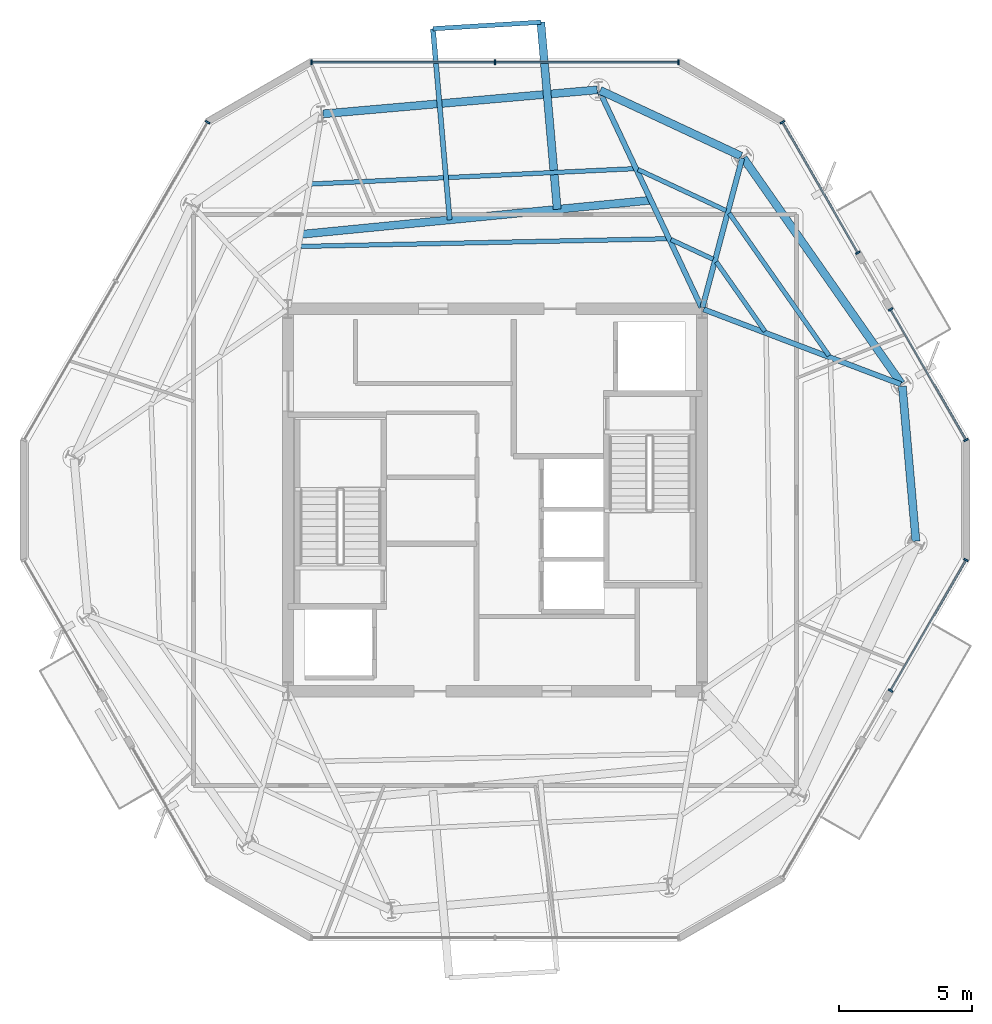
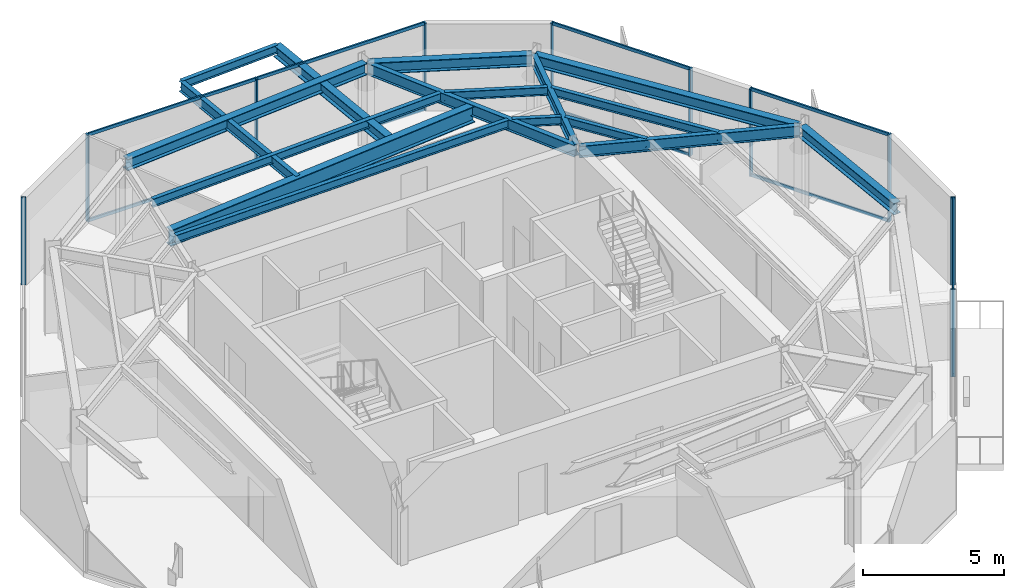
# One storey, part 4 of 11: 20 members, 17 beams, 5 elements without a shape of their own.
"""IFC4 building model written with IfcOpenShell, lengths in metres."""

from ifc_helpers import new_model, si_unit, direction, frame, origin, origin_2d, place, context, subcontext, project, spatial, rectangle, i_section, extrude, material, layer, layer_set, material_profile, profile_set, type_object, element, aggregate, save


model = new_model("IFC4")

# Units and contexts
model_context = context("Model", 3, precision=1e-05, world=origin(), true_north=direction((0.0, 1.0)))
body_context = subcontext(model_context, "Body", "Model", "MODEL_VIEW")
ifc_project = project(units=[si_unit("LENGTHUNIT", "METRE"), si_unit("AREAUNIT", "SQUARE_METRE"), si_unit("VOLUMEUNIT", "CUBIC_METRE"), si_unit("PLANEANGLEUNIT", "RADIAN"), si_unit("MASSUNIT", "GRAM", prefix="KILO")], contexts=[model_context])

# Site, building, storey
site_placement = place(None, origin())
site = spatial("IfcSite", under=ifc_project, at=site_placement, CompositionType="ELEMENT")
building_placement = place(site_placement, origin())
building = spatial("IfcBuilding", under=site, at=building_placement, Name="Kranzbogen Civic Tower", CompositionType="ELEMENT")
storey_placement = place(building_placement, frame((0.0, 0.0, 266.199951171875)))
storey = spatial("IfcBuildingStorey", under=building, at=storey_placement, Name="L64", CompositionType="ELEMENT", Elevation=266.199951171875)

# Beam
ifc_material_1 = material(Name="Steel S355", Category="steel")
ifc_material_profile_1 = material_profile(ifc_material_1, i_section(OverallWidth=0.18994140625, OverallDepth=0.449951171875, WebThickness=0.009521484375, FlangeThickness=0.0146484375, at=origin_2d()), Name="IPE 450")
ifc_profile_set_1 = profile_set([ifc_material_profile_1], Name="Steel S355")
beam_type_1 = type_object("IfcBeamType", Name="Braced Terrace Edge Beam IPE 450", PredefinedType="BEAM", material=ifc_profile_set_1)
beam_1_placement = place(storey_placement, frame((23.2919921875, 35.550048828125, 3.525146484375), z_axis=(-0.087186652965, 0.996191993315, 0.0), x_axis=(-0.996191993315, -0.087186652965, 0.0)))
element("IfcBeam", 1, at=beam_1_placement, inside=storey, type_object=beam_type_1, Name="L65 back-spanned terrace beam L65-TB2-2", PredefinedType="BEAM", context=body_context, shape_type="SweptSolid", body=[
    extrude(i_section(OverallWidth=0.18994140625, OverallDepth=0.449951171875, WebThickness=0.009521484375, FlangeThickness=0.0146484375, at=origin_2d()), origin(), (0.0, 0.0, 1.0), 7.224609375),
])

# Curtain wall, members
ifc_material_2 = material(Name="Pale Anodised Aluminium", Category="aluminium")
ifc_layer = layer(ifc_material_2, 0.219970703125, Name="Pale Anodised Aluminium")
ifc_layer_set = layer_set([ifc_layer], Name="Pale Anodised Aluminium")
curtain_wall_type = type_object("IfcCurtainWallType", Name="Zone 4 Stick Curtain Wall System CW-05", PredefinedType="USERDEFINED", material=ifc_layer_set)
curtain_wall_1_placement = place(storey_placement, origin())
curtain_wall_1 = element("IfcCurtainWall", 2, at=curtain_wall_1_placement, inside=storey, type_object=curtain_wall_type, Name="L64 curtain wall CW-L64-F1", ObjectType="STICK CURTAIN WALL", PredefinedType="USERDEFINED")
ifc_material_profile_2 = material_profile(ifc_material_2, rectangle(XDim=0.06494140625, YDim=0.179931640625, at=origin_2d()), Name="ALU-M 65x180")
ifc_profile_set_2 = profile_set([ifc_material_profile_2], Name="Pale Anodised Aluminium")
member_type_1 = type_object("IfcMemberType", Name="Curtain Wall Mullion ALU-M 65x180", PredefinedType="MULLION", material=ifc_profile_set_2)
member_1_placement = place(storey_placement, frame((31.910888671875, 41.488037109375, 0.0), z_axis=(0.0, 0.0, 1.0), x_axis=(-1.0, 0.0, 0.0)))
member_1 = element("IfcMember", 3, at=member_1_placement, type_object=member_type_1, Name="CW-05 mullion 1", PredefinedType="MULLION", context=body_context, shape_type="SweptSolid", body=[
    extrude(rectangle(XDim=0.06494140625, YDim=0.179931640625, at=origin_2d()), origin(), (0.0, 0.0, 1.0), 3.780029296875),
])
member_2_placement = place(storey_placement, frame((25.0, 41.488037109375, 0.0), z_axis=(0.0, 0.0, 1.0), x_axis=(-1.0, 0.0, 0.0)))
member_2 = element("IfcMember", 4, at=member_2_placement, type_object=member_type_1, Name="CW-05 mullion 2", PredefinedType="MULLION", context=body_context, shape_type="SweptSolid", body=[
    extrude(rectangle(XDim=0.06494140625, YDim=0.179931640625, at=origin_2d()), origin(), (0.0, 0.0, 1.0), 3.780029296875),
])
member_3_placement = place(storey_placement, frame((18.089111328125, 41.488037109375, 0.0), z_axis=(0.0, 0.0, 1.0), x_axis=(-1.0, 0.0, 0.0)))
member_3 = element("IfcMember", 5, at=member_3_placement, type_object=member_type_1, Name="CW-05 mullion 3", PredefinedType="MULLION", context=body_context, shape_type="SweptSolid", body=[
    extrude(rectangle(XDim=0.06494140625, YDim=0.179931640625, at=origin_2d()), origin(), (0.0, 0.0, 1.0), 3.780029296875),
])

# Curtain wall, member
curtain_wall_2_placement = place(storey_placement, origin())
curtain_wall_2 = element("IfcCurtainWall", 6, at=curtain_wall_2_placement, inside=storey, type_object=curtain_wall_type, Name="L64 curtain wall CW-L64-F2", ObjectType="STICK CURTAIN WALL", PredefinedType="USERDEFINED")
member_4_placement = place(storey_placement, frame((14.177001953125, 39.22900390625, 0.0), z_axis=(0.0, 0.0, 1.0), x_axis=(-0.500005136036, -0.866022438472, 0.0)))
member_4 = element("IfcMember", 7, at=member_4_placement, type_object=member_type_1, Name="CW-05 mullion 1", PredefinedType="MULLION", context=body_context, shape_type="SweptSolid", body=[
    extrude(rectangle(XDim=0.06494140625, YDim=0.179931640625, at=origin_2d()), origin(), (0.0, 0.0, 1.0), 3.780029296875),
])
aggregate(curtain_wall_2, [member_4])

# Curtain wall, members
curtain_wall_3_placement = place(storey_placement, origin())
curtain_wall_3 = element("IfcCurtainWall", 8, at=curtain_wall_3_placement, inside=storey, type_object=curtain_wall_type, Name="L64 curtain wall CW-L64-F5-S2", ObjectType="STICK CURTAIN WALL", PredefinedType="USERDEFINED")
member_5_placement = place(storey_placement, frame((39.89404296875, 17.822021484375, 0.0), z_axis=(0.0, 0.0, 1.0), x_axis=(0.49999893013, 0.866026021473, 0.0)))
member_5 = element("IfcMember", 9, at=member_5_placement, type_object=member_type_1, Name="CW-05 mullion 1", PredefinedType="MULLION", context=body_context, shape_type="SweptSolid", body=[
    extrude(rectangle(XDim=0.06494140625, YDim=0.179931640625, at=origin_2d()), origin(), (0.0, 0.0, 1.0), 3.780029296875),
])
member_6_placement = place(storey_placement, frame((42.73388671875, 22.740966796875, 0.0), z_axis=(0.0, 0.0, 1.0), x_axis=(0.49999893013, 0.866026021473, 0.0)))
member_6 = element("IfcMember", 10, at=member_6_placement, type_object=member_type_1, Name="CW-05 mullion 2", PredefinedType="MULLION", context=body_context, shape_type="SweptSolid", body=[
    extrude(rectangle(XDim=0.06494140625, YDim=0.179931640625, at=origin_2d()), origin(), (0.0, 0.0, 1.0), 3.780029296875),
])

curtain_wall_4_placement = place(storey_placement, origin())
curtain_wall_4 = element("IfcCurtainWall", 11, at=curtain_wall_4_placement, inside=storey, type_object=curtain_wall_type, Name="L64 curtain wall CW-L64-F6-S1", ObjectType="STICK CURTAIN WALL", PredefinedType="USERDEFINED")
member_7_placement = place(storey_placement, frame((42.73388671875, 27.259033203125, 0.0), z_axis=(0.0, 0.0, 1.0), x_axis=(-0.49999893013, 0.866026021473, 0.0)))
member_7 = element("IfcMember", 12, at=member_7_placement, type_object=member_type_1, Name="CW-05 mullion 1", PredefinedType="MULLION", context=body_context, shape_type="SweptSolid", body=[
    extrude(rectangle(XDim=0.06494140625, YDim=0.179931640625, at=origin_2d()), origin(), (0.0, 0.0, 1.0), 3.780029296875),
])
member_8_placement = place(storey_placement, frame((39.89404296875, 32.177978515625, 0.0), z_axis=(0.0, 0.0, 1.0), x_axis=(-0.49999893013, 0.866026021473, 0.0)))
member_8 = element("IfcMember", 13, at=member_8_placement, type_object=member_type_1, Name="CW-05 mullion 2", PredefinedType="MULLION", context=body_context, shape_type="SweptSolid", body=[
    extrude(rectangle(XDim=0.06494140625, YDim=0.179931640625, at=origin_2d()), origin(), (0.0, 0.0, 1.0), 3.780029296875),
])

curtain_wall_5_placement = place(storey_placement, origin())
curtain_wall_5 = element("IfcCurtainWall", 14, at=curtain_wall_5_placement, inside=storey, type_object=curtain_wall_type, Name="L64 curtain wall CW-L64-F6-S2", ObjectType="STICK CURTAIN WALL", PredefinedType="USERDEFINED")
member_9_placement = place(storey_placement, frame((38.6640625, 34.30908203125, 0.0), z_axis=(0.0, 0.0, 1.0), x_axis=(-0.500054140405, 0.865994143551, 0.0)))
member_9 = element("IfcMember", 15, at=member_9_placement, type_object=member_type_1, Name="CW-05 mullion 1", PredefinedType="MULLION", context=body_context, shape_type="SweptSolid", body=[
    extrude(rectangle(XDim=0.06494140625, YDim=0.179931640625, at=origin_2d()), origin(), (0.0, 0.0, 1.0), 3.780029296875),
])
member_10_placement = place(storey_placement, frame((35.822998046875, 39.22900390625, 0.0), z_axis=(0.0, 0.0, 1.0), x_axis=(-0.500054140405, 0.865994143551, 0.0)))
member_10 = element("IfcMember", 16, at=member_10_placement, type_object=member_type_1, Name="CW-05 mullion 2", PredefinedType="MULLION", context=body_context, shape_type="SweptSolid", body=[
    extrude(rectangle(XDim=0.06494140625, YDim=0.179931640625, at=origin_2d()), origin(), (0.0, 0.0, 1.0), 3.780029296875),
])

# Member
ifc_material_profile_3 = material_profile(ifc_material_2, rectangle(XDim=0.06494140625, YDim=0.135009765625, at=origin_2d()), Name="ALU-T 65x135")
ifc_profile_set_3 = profile_set([ifc_material_profile_3], Name="Pale Anodised Aluminium")
member_type_2 = type_object("IfcMemberType", Name="Curtain Wall Transom ALU-T 65x135", PredefinedType="USERDEFINED", material=ifc_profile_set_3)
member_11_placement = place(storey_placement, frame((31.881103515625, 41.488037109375, 0.030029296875), z_axis=(-1.0, 0.0, 0.0), x_axis=(0.0, -1.0, 0.0)))
member_11 = element("IfcMember", 17, at=member_11_placement, type_object=member_type_2, Name="CW-05 transom 1.1", ObjectType="TRANSOM", PredefinedType="USERDEFINED", context=body_context, shape_type="SweptSolid", body=[
    extrude(rectangle(XDim=0.06494140625, YDim=0.135009765625, at=origin_2d()), origin(), (0.0, 0.0, 1.0), 6.85107421875),
])

member_12_placement = place(storey_placement, frame((31.881103515625, 41.488037109375, 3.75), z_axis=(-1.0, 0.0, 0.0), x_axis=(0.0, -1.0, 0.0)))
member_12 = element("IfcMember", 18, at=member_12_placement, type_object=member_type_2, Name="CW-05 transom 1.2", ObjectType="TRANSOM", PredefinedType="USERDEFINED", context=body_context, shape_type="SweptSolid", body=[
    extrude(rectangle(XDim=0.06494140625, YDim=0.135009765625, at=origin_2d()), origin(), (0.0, 0.0, 1.0), 6.85107421875),
])

member_13_placement = place(storey_placement, frame((24.969970703125, 41.488037109375, 0.030029296875), z_axis=(-1.0, 0.0, 0.0), x_axis=(0.0, -1.0, 0.0)))
member_13 = element("IfcMember", 19, at=member_13_placement, type_object=member_type_2, Name="CW-05 transom 2.1", ObjectType="TRANSOM", PredefinedType="USERDEFINED", context=body_context, shape_type="SweptSolid", body=[
    extrude(rectangle(XDim=0.06494140625, YDim=0.135009765625, at=origin_2d()), origin(), (0.0, 0.0, 1.0), 6.85107421875),
])

member_14_placement = place(storey_placement, frame((24.969970703125, 41.488037109375, 3.75), z_axis=(-1.0, 0.0, 0.0), x_axis=(0.0, -1.0, 0.0)))
member_14 = element("IfcMember", 20, at=member_14_placement, type_object=member_type_2, Name="CW-05 transom 2.2", ObjectType="TRANSOM", PredefinedType="USERDEFINED", context=body_context, shape_type="SweptSolid", body=[
    extrude(rectangle(XDim=0.06494140625, YDim=0.135009765625, at=origin_2d()), origin(), (0.0, 0.0, 1.0), 6.85107421875),
])

aggregate(curtain_wall_1, [member_1, member_2, member_3, member_11, member_12, member_13, member_14])

member_15_placement = place(storey_placement, frame((39.908935546875, 17.847900390625, 0.030029296875), z_axis=(0.499998209175, 0.866026437715, 0.0), x_axis=(-0.866026437715, 0.499998209175, 0.0)))
member_15 = element("IfcMember", 21, at=member_15_placement, type_object=member_type_2, Name="CW-05 transom 1.1", ObjectType="TRANSOM", PredefinedType="USERDEFINED", context=body_context, shape_type="SweptSolid", body=[
    extrude(rectangle(XDim=0.06494140625, YDim=0.135009765625, at=origin_2d()), origin(), (0.0, 0.0, 1.0), 5.6201171875),
])

member_16_placement = place(storey_placement, frame((39.908935546875, 17.847900390625, 3.75), z_axis=(0.499998209175, 0.866026437715, 0.0), x_axis=(-0.866026437715, 0.499998209175, 0.0)))
member_16 = element("IfcMember", 22, at=member_16_placement, type_object=member_type_2, Name="CW-05 transom 1.2", ObjectType="TRANSOM", PredefinedType="USERDEFINED", context=body_context, shape_type="SweptSolid", body=[
    extrude(rectangle(XDim=0.06494140625, YDim=0.135009765625, at=origin_2d()), origin(), (0.0, 0.0, 1.0), 5.6201171875),
])

aggregate(curtain_wall_3, [member_5, member_6, member_15, member_16])

member_17_placement = place(storey_placement, frame((42.718994140625, 27.284912109375, 0.030029296875), z_axis=(-0.499998209175, 0.866026437715, 0.0), x_axis=(-0.866026437715, -0.499998209175, 0.0)))
member_17 = element("IfcMember", 23, at=member_17_placement, type_object=member_type_2, Name="CW-05 transom 1.1", ObjectType="TRANSOM", PredefinedType="USERDEFINED", context=body_context, shape_type="SweptSolid", body=[
    extrude(rectangle(XDim=0.06494140625, YDim=0.135009765625, at=origin_2d()), origin(), (0.0, 0.0, 1.0), 5.6201171875),
])

member_18_placement = place(storey_placement, frame((42.718994140625, 27.284912109375, 3.75), z_axis=(-0.499998209175, 0.866026437715, 0.0), x_axis=(-0.866026437715, -0.499998209175, 0.0)))
member_18 = element("IfcMember", 24, at=member_18_placement, type_object=member_type_2, Name="CW-05 transom 1.2", ObjectType="TRANSOM", PredefinedType="USERDEFINED", context=body_context, shape_type="SweptSolid", body=[
    extrude(rectangle(XDim=0.06494140625, YDim=0.135009765625, at=origin_2d()), origin(), (0.0, 0.0, 1.0), 5.6201171875),
])

aggregate(curtain_wall_4, [member_7, member_8, member_17, member_18])

member_19_placement = place(storey_placement, frame((38.64892578125, 34.3349609375, 0.030029296875), z_axis=(-0.500053275716, 0.86599464285, 0.0), x_axis=(-0.86599464285, -0.500053275716, 0.0)))
member_19 = element("IfcMember", 25, at=member_19_placement, type_object=member_type_2, Name="CW-05 transom 1.1", ObjectType="TRANSOM", PredefinedType="USERDEFINED", context=body_context, shape_type="SweptSolid", body=[
    extrude(rectangle(XDim=0.06494140625, YDim=0.135009765625, at=origin_2d()), origin(), (0.0, 0.0, 1.0), 5.62158203125),
])

member_20_placement = place(storey_placement, frame((38.64892578125, 34.3349609375, 3.75), z_axis=(-0.500053275716, 0.86599464285, 0.0), x_axis=(-0.86599464285, -0.500053275716, 0.0)))
member_20 = element("IfcMember", 26, at=member_20_placement, type_object=member_type_2, Name="CW-05 transom 1.2", ObjectType="TRANSOM", PredefinedType="USERDEFINED", context=body_context, shape_type="SweptSolid", body=[
    extrude(rectangle(XDim=0.06494140625, YDim=0.135009765625, at=origin_2d()), origin(), (0.0, 0.0, 1.0), 5.62158203125),
])

aggregate(curtain_wall_5, [member_9, member_10, member_19, member_20])

# Beams
ifc_material_profile_4 = material_profile(ifc_material_1, i_section(OverallWidth=0.300048828125, OverallDepth=0.5, WebThickness=0.014404296875, FlangeThickness=0.028076171875, at=origin_2d()), Name="HEB 500")
ifc_profile_set_4 = profile_set([ifc_material_profile_4], Name="Steel S355")
beam_type_2 = type_object("IfcBeamType", Name="Perimeter Tube Spandrel Beam HEB 500", PredefinedType="SPANDREL", material=ifc_profile_set_4)
beam_2_placement = place(storey_placement, frame((40.85009765625, 23.449951171875, 3.530029296875), z_axis=(-0.087326362434, 0.99617975608, 0.0), x_axis=(-0.99617975608, -0.087326362434, 0.0)))
element("IfcBeam", 27, at=beam_2_placement, inside=storey, type_object=beam_type_2, Name="L64 perimeter spandrel beam 06", PredefinedType="SPANDREL", context=body_context, shape_type="SweptSolid", body=[
    extrude(i_section(OverallWidth=0.300048828125, OverallDepth=0.5, WebThickness=0.014404296875, FlangeThickness=0.028076171875, at=origin_2d()), origin(), (0.0, 0.0, 1.0), 5.8515625),
])
beam_3_placement = place(storey_placement, frame((40.300048828125, 29.387939453125, 3.530029296875), z_axis=(-0.573577759301, 0.819151117948, 0.0), x_axis=(-0.819151117948, -0.573577759301, 0.0)))
element("IfcBeam", 28, at=beam_3_placement, inside=storey, type_object=beam_type_2, Name="L64 perimeter spandrel beam 07", PredefinedType="SPANDREL", context=body_context, shape_type="SweptSolid", body=[
    extrude(i_section(OverallWidth=0.300048828125, OverallDepth=0.5, WebThickness=0.014404296875, FlangeThickness=0.028076171875, at=origin_2d()), origin(), (0.0, 0.0, 1.0), 10.36328125),
])
beam_4_placement = place(storey_placement, frame((34.26806640625, 37.950927734375, 3.530029296875), z_axis=(-0.906289661556, 0.422657129784, 0.0), x_axis=(-0.422657129784, -0.906289661556, 0.0)))
element("IfcBeam", 29, at=beam_4_placement, inside=storey, type_object=beam_type_2, Name="L64 perimeter spandrel beam 08", PredefinedType="SPANDREL", context=body_context, shape_type="SweptSolid", body=[
    extrude(i_section(OverallWidth=0.300048828125, OverallDepth=0.5, WebThickness=0.014404296875, FlangeThickness=0.028076171875, at=origin_2d()), origin(), (0.0, 0.0, 1.0), 5.853759765625),
])
beam_5_placement = place(storey_placement, frame((28.84912109375, 40.445068359375, 3.530029296875), z_axis=(-0.996186373839, -0.087250837114, 0.0), x_axis=(0.087250837114, -0.996186373839, 0.0)))
element("IfcBeam", 30, at=beam_5_placement, inside=storey, type_object=beam_type_2, Name="L64 perimeter spandrel beam 09", PredefinedType="SPANDREL", context=body_context, shape_type="SweptSolid", body=[
    extrude(i_section(OverallWidth=0.300048828125, OverallDepth=0.5, WebThickness=0.014404296875, FlangeThickness=0.028076171875, at=origin_2d()), origin(), (0.0, 0.0, 1.0), 10.361572265625),
])
beam_6_placement = place(storey_placement, frame((27.343017578125, 35.946044921875, 3.5), z_axis=(-0.087238896909, 0.996187419548, 0.0), x_axis=(-0.996187419548, -0.087238896909, 0.0)))
element("IfcBeam", 31, at=beam_6_placement, inside=storey, type_object=beam_type_2, Name="L65 back-spanned terrace beam L65-TB2-1", PredefinedType="SPANDREL", context=body_context, shape_type="SweptSolid", body=[
    extrude(i_section(OverallWidth=0.300048828125, OverallDepth=0.5, WebThickness=0.014404296875, FlangeThickness=0.028076171875, at=origin_2d()), origin(), (0.0, 0.0, 1.0), 7.07177734375),
])
ifc_material_profile_5 = material_profile(ifc_material_1, i_section(OverallWidth=0.300048828125, OverallDepth=0.699951171875, WebThickness=0.01708984375, FlangeThickness=0.031982421875, at=origin_2d()), Name="HEB 700")
ifc_profile_set_5 = profile_set([ifc_material_profile_5], Name="Steel S355")
beam_type_3 = type_object("IfcBeamType", Name="Perimeter Tube Spandrel Beam HEB 700", PredefinedType="SPANDREL", material=ifc_profile_set_5)
beam_7_placement = place(storey_placement, frame((30.87109375, 36.2900390625, 3.400146484375), z_axis=(-0.995270463506, -0.097142701589, 0.0), x_axis=(0.097142701589, -0.995270463506, 0.0)))
element("IfcBeam", 32, at=beam_7_placement, inside=storey, type_object=beam_type_3, Name="L65 balcony back-span header girder L65-TB2", PredefinedType="SPANDREL", context=body_context, shape_type="SweptSolid", body=[
    extrude(i_section(OverallWidth=0.300048828125, OverallDepth=0.699951171875, WebThickness=0.01708984375, FlangeThickness=0.031982421875, at=origin_2d()), origin(), (0.0, 0.0, 1.0), 13.249755859375),
])
ifc_material_profile_6 = material_profile(ifc_material_1, i_section(OverallWidth=0.199951171875, OverallDepth=0.5, WebThickness=0.01025390625, FlangeThickness=0.01611328125, at=origin_2d()), Name="IPE 500")
ifc_profile_set_6 = profile_set([ifc_material_profile_6], Name="Steel S355")
beam_type_4 = type_object("IfcBeamType", Name="Radial Tower Floor Girder IPE 500", PredefinedType="BEAM", material=ifc_profile_set_6)
beam_8_placement = place(storey_placement, frame((40.278076171875, 29.360107421875, 3.530029296875), z_axis=(-0.934848709689, 0.355046320913, 0.0), x_axis=(-0.355046320913, -0.934848709689, 0.0)))
element("IfcBeam", 33, at=beam_8_placement, inside=storey, type_object=beam_type_4, Name="L64 radial floor girder 07", PredefinedType="BEAM", context=body_context, shape_type="SweptSolid", body=[
    extrude(i_section(OverallWidth=0.199951171875, OverallDepth=0.5, WebThickness=0.01025390625, FlangeThickness=0.01611328125, at=origin_2d()), origin(), (0.0, 0.0, 1.0), 7.939453125),
])
beam_9_placement = place(storey_placement, frame((34.306884765625, 37.867919921875, 3.530029296875), z_axis=(-0.257016017622, -0.966407143333, 0.0), x_axis=(0.966407143333, -0.257016017622, 0.0)))
element("IfcBeam", 34, at=beam_9_placement, inside=storey, type_object=beam_type_4, Name="L64 radial floor girder 08", PredefinedType="BEAM", context=body_context, shape_type="SweptSolid", body=[
    extrude(i_section(OverallWidth=0.199951171875, OverallDepth=0.5, WebThickness=0.01025390625, FlangeThickness=0.01611328125, at=origin_2d()), origin(), (0.0, 0.0, 1.0), 5.804931640625),
])
beam_10_placement = place(storey_placement, frame((28.93505859375, 40.39599609375, 3.530029296875), z_axis=(0.426460441273, -0.904506214478, 0.0), x_axis=(0.904506214478, 0.426460441273, 0.0)))
element("IfcBeam", 35, at=beam_10_placement, inside=storey, type_object=beam_type_4, Name="L64 radial floor girder 09", PredefinedType="BEAM", context=body_context, shape_type="SweptSolid", body=[
    extrude(i_section(OverallWidth=0.199951171875, OverallDepth=0.5, WebThickness=0.01025390625, FlangeThickness=0.01611328125, at=origin_2d()), origin(), (0.0, 0.0, 1.0), 9.001708984375),
])
ifc_material_profile_7 = material_profile(ifc_material_1, i_section(OverallWidth=0.169921875, OverallDepth=0.360107421875, WebThickness=0.008056640625, FlangeThickness=0.0126953125, at=origin_2d()), Name="IPE 360")
ifc_profile_set_7 = profile_set([ifc_material_profile_7], Name="Steel S355")
beam_type_5 = type_object("IfcBeamType", Name="Secondary Composite Floor Joist IPE 360", PredefinedType="JOIST", material=ifc_profile_set_7)
beam_11_placement = place(storey_placement, frame((37.575927734375, 30.43408203125, 3.60009765625), z_axis=(-0.573499872939, 0.819205649235, 0.0), x_axis=(-0.819205649235, -0.573499872939, 0.0)))
element("IfcBeam", 36, at=beam_11_placement, inside=storey, type_object=beam_type_5, Name="L64 secondary floor joist 1.07", PredefinedType="JOIST", context=body_context, shape_type="SweptSolid", body=[
    extrude(i_section(OverallWidth=0.169921875, OverallDepth=0.360107421875, WebThickness=0.008056640625, FlangeThickness=0.0126953125, at=origin_2d()), origin(), (0.0, 0.0, 1.0), 6.549072265625),
])
beam_12_placement = place(storey_placement, frame((35.1650390625, 31.35009765625, 3.60009765625), z_axis=(-0.573498248491, 0.819206786457, 0.0), x_axis=(-0.819206786457, -0.573498248491, 0.0)))
element("IfcBeam", 37, at=beam_12_placement, inside=storey, type_object=beam_type_5, Name="L64 secondary floor joist 2.07", PredefinedType="JOIST", context=body_context, shape_type="SweptSolid", body=[
    extrude(i_section(OverallWidth=0.169921875, OverallDepth=0.360107421875, WebThickness=0.008056640625, FlangeThickness=0.0126953125, at=origin_2d()), origin(), (0.0, 0.0, 1.0), 3.194580078125),
])
beam_13_placement = place(storey_placement, frame((33.701904296875, 35.89794921875, 3.60009765625), z_axis=(-0.906303996948, 0.422626389517, 0.0), x_axis=(-0.422626389517, -0.906303996948, 0.0)))
element("IfcBeam", 38, at=beam_13_placement, inside=storey, type_object=beam_type_5, Name="L64 secondary floor joist 1.08", PredefinedType="JOIST", context=body_context, shape_type="SweptSolid", body=[
    extrude(i_section(OverallWidth=0.169921875, OverallDepth=0.360107421875, WebThickness=0.008056640625, FlangeThickness=0.0126953125, at=origin_2d()), origin(), (0.0, 0.0, 1.0), 3.6630859375),
])
beam_14_placement = place(storey_placement, frame((33.215087890625, 34.06591796875, 3.60009765625), z_axis=(-0.906432174342, 0.422351409751, 0.0), x_axis=(-0.422351409751, -0.906432174342, 0.0)))
element("IfcBeam", 39, at=beam_14_placement, inside=storey, type_object=beam_type_5, Name="L64 secondary floor joist 2.08", PredefinedType="JOIST", context=body_context, shape_type="SweptSolid", body=[
    extrude(i_section(OverallWidth=0.169921875, OverallDepth=0.360107421875, WebThickness=0.008056640625, FlangeThickness=0.0126953125, at=origin_2d()), origin(), (0.0, 0.0, 1.0), 1.751953125),
])
beam_15_placement = place(storey_placement, frame((30.22998046875, 37.47607421875, 3.60009765625), z_axis=(-0.998871634781, -0.047491654324, 0.0), x_axis=(0.047491654324, -0.998871634781, 0.0)))
element("IfcBeam", 40, at=beam_15_placement, inside=storey, type_object=beam_type_5, Name="L64 secondary floor joist 1.09", PredefinedType="JOIST", context=body_context, shape_type="SweptSolid", body=[
    extrude(i_section(OverallWidth=0.169921875, OverallDepth=0.360107421875, WebThickness=0.008056640625, FlangeThickness=0.0126953125, at=origin_2d()), origin(), (0.0, 0.0, 1.0), 12.152587890625),
])
beam_16_placement = place(storey_placement, frame((31.47509765625, 34.837890625, 3.60009765625), z_axis=(-0.999780746893, -0.020939392104, 0.0), x_axis=(0.020939392104, -0.999780746893, 0.0)))
element("IfcBeam", 41, at=beam_16_placement, inside=storey, type_object=beam_type_5, Name="L64 secondary floor joist 2.09", PredefinedType="JOIST", context=body_context, shape_type="SweptSolid", body=[
    extrude(i_section(OverallWidth=0.169921875, OverallDepth=0.360107421875, WebThickness=0.008056640625, FlangeThickness=0.0126953125, at=origin_2d()), origin(), (0.0, 0.0, 1.0), 13.79296875),
])
beam_17_placement = place(storey_placement, frame((26.72607421875, 42.990966796875, 3.570068359375), z_axis=(-0.998203984941, -0.05990663108, 0.0), x_axis=(0.05990663108, -0.998203984941, 0.0)))
element("IfcBeam", 42, at=beam_17_placement, inside=storey, type_object=beam_type_5, Name="L65 terrace outer edge trimmer L65-TB2", PredefinedType="JOIST", context=body_context, shape_type="SweptSolid", body=[
    extrude(i_section(OverallWidth=0.169921875, OverallDepth=0.360107421875, WebThickness=0.008056640625, FlangeThickness=0.0126953125, at=origin_2d()), origin(), (0.0, 0.0, 1.0), 4.0712890625),
])

save(model, "model.ifc")
